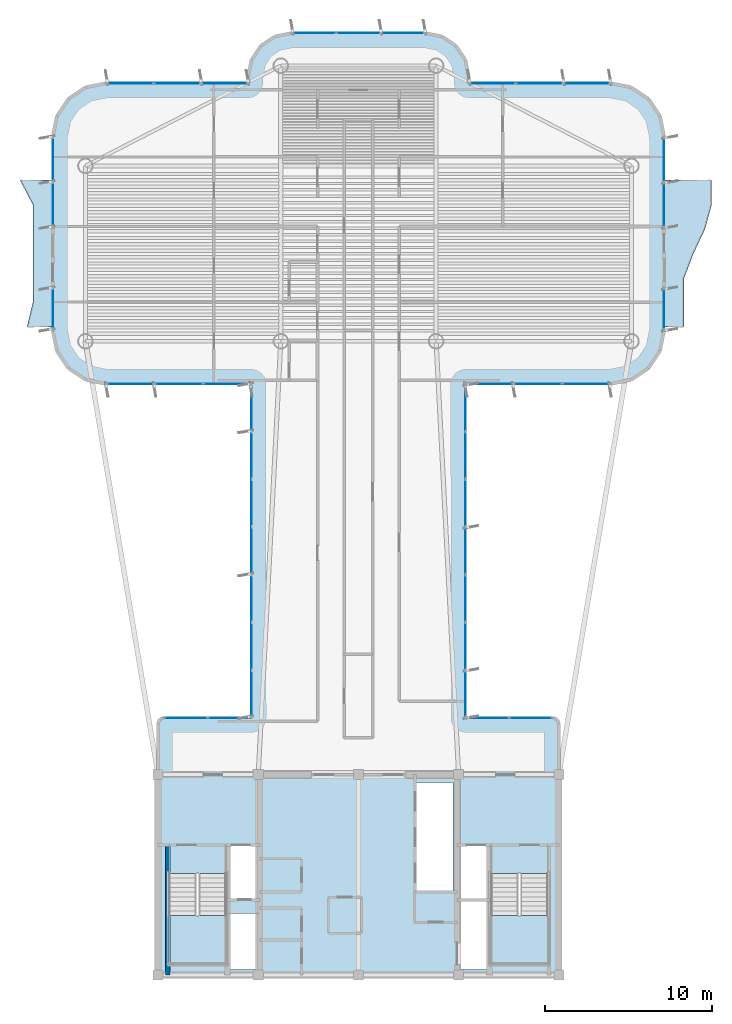
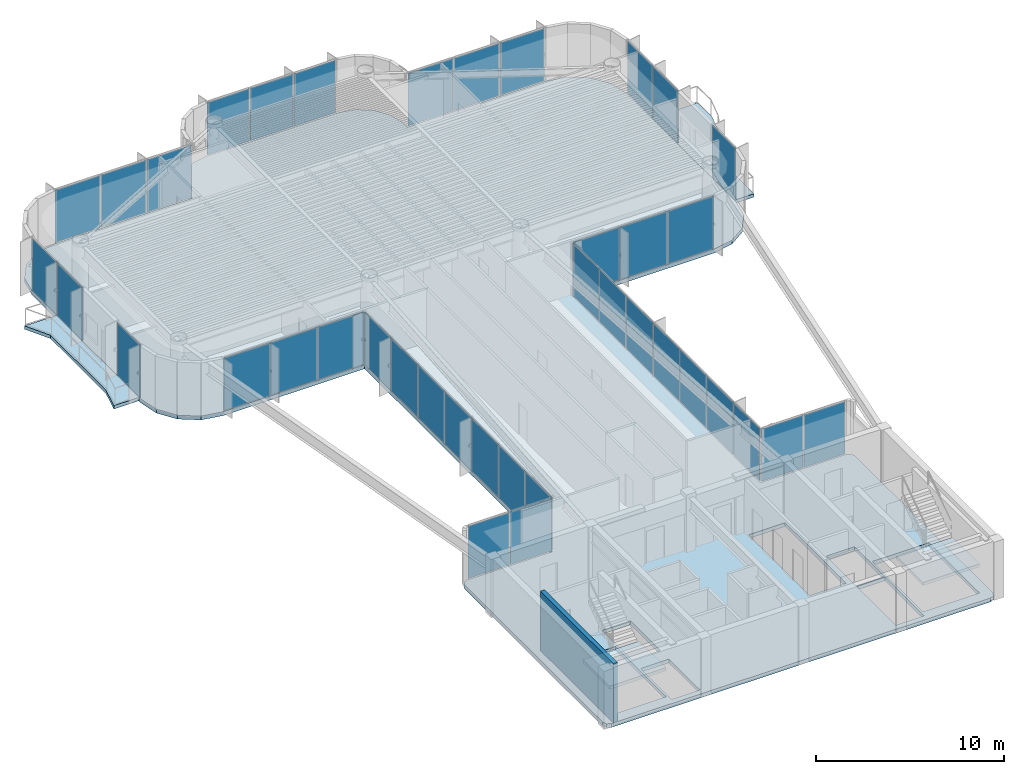
# One storey, part 9 of 15: 39 plates, 5 slabs, 1 wall, 15 elements without a shape of their own.
"""IFC4 building model written with IfcOpenShell, lengths in metres."""

from ifc_helpers import new_model, si_unit, direction, frame, frame_2d, origin, origin_2d, place, context, subcontext, project, spatial, polyline, rectangle, outline, extrude, source, transform, mapped, material, layer, layer_set, type_object, element, aggregate, save


model = new_model("IFC4")

# Units and contexts
model_context = context("Model", 3, precision=1e-05, world=origin(), true_north=direction((0.0, 1.0)))
body_context = subcontext(model_context, "Body", "Model", "MODEL_VIEW")
ifc_project = project(units=[si_unit("LENGTHUNIT", "METRE"), si_unit("AREAUNIT", "SQUARE_METRE"), si_unit("VOLUMEUNIT", "CUBIC_METRE"), si_unit("PLANEANGLEUNIT", "RADIAN"), si_unit("MASSUNIT", "GRAM", prefix="KILO")], contexts=[model_context])

# Site, building, storey
site_placement = place(None, origin())
site = spatial("IfcSite", under=ifc_project, at=site_placement, CompositionType="ELEMENT")
building_placement = place(site_placement, origin())
building = spatial("IfcBuilding", under=site, at=building_placement, Name="Brelvock Crest Care Tower", CompositionType="ELEMENT")
storey_placement = place(building_placement, frame((0.0, 0.0, 268.3798828125)))
storey = spatial("IfcBuildingStorey", under=building, at=storey_placement, Name="L68", CompositionType="ELEMENT", Elevation=268.3798828125)

# Slabs
ifc_material_1 = material(Name="Concrete N50 (50 MPa)", Category="concrete")
ifc_layer_1 = layer(ifc_material_1, 0.25, Name="SLB-FL3")
ifc_layer_set_1 = layer_set([ifc_layer_1], Name="Concrete N50 (50 MPa)")
slab_type_1 = type_object("IfcSlabType", Name="SLB-FL3", PredefinedType="FLOOR", material=ifc_layer_set_1)
slab_1_placement = place(storey_placement, frame((0.0, 0.0, -0.25)))
element("IfcSlab", 1, at=slab_1_placement, inside=storey, type_object=slab_type_1, Name="L68 Main Structural Slab", PredefinedType="FLOOR", context=body_context, shape_type="SweptSolid", body=[
    extrude(outline(polyline([(47.64990234375, 21.39990234375), (42.39990234375, 21.39990234375), (42.39990234375, 41.39990234375), (51.10009765625, 41.39990234375), (52.32470703125, 41.6435546875), (53.36279296875, 42.33740234375), (54.056396484375, 43.37548828125), (54.300048828125, 44.60009765625), (54.300048828125, 56.199951171875), (54.056396484375, 57.424560546875), (53.36279296875, 58.462646484375), (52.32470703125, 59.156494140625), (51.10009765625, 59.39990234375), (42.60009765625, 59.39990234375), (42.60009765625, 59.800048828125), (42.402099609375, 60.794921875), (41.83837890625, 61.638427734375), (40.9951171875, 62.2021484375), (40.0, 62.39990234375), (32.0, 62.39990234375), (31.0048828125, 62.2021484375), (30.16162109375, 61.638427734375), (29.597900390625, 60.794921875), (29.39990234375, 59.800048828125), (29.39990234375, 59.39990234375), (20.89990234375, 59.39990234375), (19.67529296875, 59.156494140625), (18.63720703125, 58.462646484375), (17.943603515625, 57.424560546875), (17.699951171875, 56.199951171875), (17.699951171875, 44.60009765625), (17.943603515625, 43.37548828125), (18.63720703125, 42.33740234375), (19.67529296875, 41.6435546875), (20.89990234375, 41.39990234375), (29.60009765625, 41.39990234375), (29.60009765625, 21.39990234375), (24.35009765625, 21.39990234375), (24.1025390625, 21.297607421875), (24.0, 21.050048828125), (24.0, 6.35009765625), (24.1025390625, 6.1025390625), (24.35009765625, 6.0), (47.64990234375, 6.0), (47.8974609375, 6.1025390625), (48.0, 6.35009765625), (48.0, 21.050048828125), (47.8974609375, 21.297607421875), (47.64990234375, 21.39990234375)]), holes=[polyline([(28.239990234375, 10.580078125), (29.97998046875, 10.580078125), (29.97998046875, 13.739990234375), (28.239990234375, 13.739990234375), (28.239990234375, 10.580078125)]), polyline([(42.02001953125, 10.580078125), (43.760009765625, 10.580078125), (43.760009765625, 13.739990234375), (42.02001953125, 13.739990234375), (42.02001953125, 10.580078125)]), polyline([(28.239990234375, 6.340087890625), (29.97998046875, 6.340087890625), (29.97998046875, 9.64990234375), (28.239990234375, 9.64990234375), (28.239990234375, 6.340087890625)]), polyline([(24.6298828125, 12.080078125), (24.6298828125, 6.699951171875), (28.110107421875, 6.699951171875), (28.110107421875, 12.080078125), (24.6298828125, 12.080078125)]), polyline([(43.889892578125, 12.080078125), (43.889892578125, 6.699951171875), (47.3701171875, 6.699951171875), (47.3701171875, 12.080078125), (43.889892578125, 12.080078125)]), polyline([(42.02001953125, 6.340087890625), (43.760009765625, 6.340087890625), (43.760009765625, 10.5), (42.02001953125, 10.5), (42.02001953125, 6.340087890625)]), polyline([(39.429931640625, 11.030029296875), (41.669921875, 11.030029296875), (41.669921875, 17.52001953125), (39.429931640625, 17.52001953125), (39.429931640625, 11.030029296875)])]), origin(), (0.0, 0.0, 1.0), 0.25),
])
ifc_layer_2 = layer(ifc_material_1, 0.219970703125, Name="SLB-WB1")
ifc_layer_set_2 = layer_set([ifc_layer_2], Name="Concrete N50 (50 MPa)")
slab_type_2 = type_object("IfcSlabType", Name="SLB-WB1", PredefinedType="FLOOR", material=ifc_layer_set_2)
slab_2_placement = place(storey_placement, frame((0.0, 0.0, -0.219970703125)))
element("IfcSlab", 2, at=slab_2_placement, inside=storey, type_object=slab_type_2, Name="L68 W Sinusoidal Wave Balcony Slab", PredefinedType="FLOOR", context=body_context, shape_type="SweptSolid", body=[
    extrude(outline(polyline([(17.699951171875, 53.60009765625), (15.73291015625, 53.60009765625), (16.49951171875, 52.13330078125), (16.5, 50.666748046875), (16.5, 49.199951171875), (16.5, 47.7333984375), (16.5, 46.2666015625), (16.14990234375, 44.800048828125), (17.699951171875, 44.800048828125), (17.699951171875, 53.60009765625)])), origin(), (0.0, 0.0, 1.0), 0.219970703125),
])
slab_3_placement = place(storey_placement, frame((0.0, 0.0, -0.219970703125)))
element("IfcSlab", 3, at=slab_3_placement, inside=storey, type_object=slab_type_2, Name="L68 E Sinusoidal Wave Balcony Slab", PredefinedType="FLOOR", context=body_context, shape_type="SweptSolid", body=[
    extrude(outline(polyline([(54.300048828125, 44.800048828125), (55.5, 44.800048828125), (55.5, 46.2666015625), (55.5, 47.7333984375), (56.061279296875, 49.199951171875), (56.75341796875, 50.666748046875), (57.154052734375, 52.13330078125), (57.1337890625, 53.60009765625), (54.300048828125, 53.60009765625), (54.300048828125, 44.800048828125)])), origin(), (0.0, 0.0, 1.0), 0.219970703125),
])

# Stair, slab
ifc_material_2 = material(Name="Concrete N40 (40 MPa)", Category="concrete")
stair_type = type_object("IfcStairType", Name="ST-CORE1", PredefinedType="HALF_TURN_STAIR", material=ifc_material_2)
stair_1_placement = place(storey_placement, origin())
stair_1 = element("IfcStair", 4, at=stair_1_placement, inside=storey, type_object=stair_type, Name="L68 Fire-Isolated Core Stair ST-1", PredefinedType="HALF_TURN_STAIR")
ifc_layer_3 = layer(ifc_material_2, 0.199951171875, Name="STL-1")
ifc_layer_set_3 = layer_set([ifc_layer_3], Name="Concrete N40 (40 MPa)")
slab_type_3 = type_object("IfcSlabType", Name="STL-1", PredefinedType="LANDING", material=ifc_layer_set_3)
slab_4_placement = place(storey_placement, frame((0.0, 0.0, 1.690185546875)))
slab_4 = element("IfcSlab", 5, at=slab_4_placement, type_object=slab_type_3, Name="ST-1 landing 1", PredefinedType="LANDING", context=body_context, shape_type="SweptSolid", body=[
    extrude(outline(polyline([(24.6298828125, 9.56005859375), (24.6298828125, 6.699951171875), (28.110107421875, 6.699951171875), (28.110107421875, 9.56005859375), (24.6298828125, 9.56005859375)])), origin(), (0.0, 0.0, 1.0), 0.199951171875),
])
aggregate(stair_1, [slab_4])

stair_2_placement = place(storey_placement, origin())
stair_2 = element("IfcStair", 6, at=stair_2_placement, inside=storey, type_object=stair_type, Name="L68 Fire-Isolated Core Stair ST-2", PredefinedType="HALF_TURN_STAIR")
slab_5_placement = place(storey_placement, frame((0.0, 0.0, 1.690185546875)))
slab_5 = element("IfcSlab", 7, at=slab_5_placement, type_object=slab_type_3, Name="ST-2 landing 1", PredefinedType="LANDING", context=body_context, shape_type="SweptSolid", body=[
    extrude(outline(polyline([(43.889892578125, 9.56005859375), (43.889892578125, 6.699951171875), (47.3701171875, 6.699951171875), (47.3701171875, 9.56005859375), (43.889892578125, 9.56005859375)])), origin(), (0.0, 0.0, 1.0), 0.199951171875),
])
aggregate(stair_2, [slab_5])

# Curtain wall, plates
ifc_material_3 = material(Name="Dark Glass Double Glazed Low-E", Category="glass")
ifc_layer_4 = layer(ifc_material_3, 0.239990234375, Name="CWS-5")
ifc_layer_set_4 = layer_set([ifc_layer_4], Name="Dark Glass Double Glazed Low-E")
curtain_wall_type = type_object("IfcCurtainWallType", Name="CWS-5", PredefinedType="NOTDEFINED", material=ifc_layer_set_4)
curtain_wall_1_placement = place(storey_placement, origin())
curtain_wall_1 = element("IfcCurtainWall", 8, at=curtain_wall_1_placement, inside=storey, type_object=curtain_wall_type, Name="L68 Curtain Wall E10", PredefinedType="NOTDEFINED")
ifc_layer_5 = layer(ifc_material_3, 0.0380859375, Name="CWP-V2")
ifc_layer_set_5 = layer_set([ifc_layer_5], Name="Dark Glass Double Glazed Low-E")
plate_type = type_object("IfcPlateType", Name="CWP-V2", PredefinedType="CURTAIN_PANEL", material=ifc_layer_set_5)
shared_shape_1 = source(origin(), body_context, "Body", "SweptSolid", [
    extrude(rectangle(XDim=2.534912109375, YDim=0.035888671875, at=origin_2d()), origin(), (0.0, 0.0, 1.0), 3.409912109375),
])
plate_1_placement = place(storey_placement, frame((25.677490234375, 21.39990234375, 0.06005859375), z_axis=(0.0, 0.0, 1.0), x_axis=(1.0, 0.0, 0.0)))
plate_1 = element("IfcPlate", 9, at=plate_1_placement, type_object=plate_type, Name="CW-5 panel 1.1", PredefinedType="CURTAIN_PANEL", context=body_context, shape_type="MappedRepresentation", body=[
    mapped(shared_shape_1, transform((0.0, 0.0, 0.0), x_axis=(1.0, 0.0, 0.0), y_axis=(0.0, 1.0, 0.0), z_axis=(0.0, 0.0, 1.0), scale=1.0)),
])
plate_2_placement = place(storey_placement, frame((28.2724609375, 21.39990234375, 0.06005859375), z_axis=(0.0, 0.0, 1.0), x_axis=(1.0, 0.0, 0.0)))
plate_2 = element("IfcPlate", 10, at=plate_2_placement, type_object=plate_type, Name="CW-5 panel 2.1", PredefinedType="CURTAIN_PANEL", context=body_context, shape_type="MappedRepresentation", body=[
    mapped(shared_shape_1, transform((0.0, 0.0, 0.0), x_axis=(1.0, 0.0, 0.0), y_axis=(0.0, 1.0, 0.0), z_axis=(0.0, 0.0, 1.0), scale=1.0)),
])
aggregate(curtain_wall_1, [plate_1, plate_2])

curtain_wall_2_placement = place(storey_placement, origin())
curtain_wall_2 = element("IfcCurtainWall", 11, at=curtain_wall_2_placement, inside=storey, type_object=curtain_wall_type, Name="L68 Curtain Wall E46", PredefinedType="NOTDEFINED")
plate_3_placement = place(storey_placement, frame((43.7275390625, 21.39990234375, 0.06005859375), z_axis=(0.0, 0.0, 1.0), x_axis=(1.0, 0.0, 0.0)))
plate_3 = element("IfcPlate", 12, at=plate_3_placement, type_object=plate_type, Name="CW-5 panel 1.1", PredefinedType="CURTAIN_PANEL", context=body_context, shape_type="MappedRepresentation", body=[
    mapped(shared_shape_1, transform((0.0, 0.0, 0.0), x_axis=(1.0, 0.0, 0.0), y_axis=(0.0, 1.0, 0.0), z_axis=(0.0, 0.0, 1.0), scale=1.0)),
])
plate_4_placement = place(storey_placement, frame((46.322509765625, 21.39990234375, 0.06005859375), z_axis=(0.0, 0.0, 1.0), x_axis=(1.0, 0.0, 0.0)))
plate_4 = element("IfcPlate", 13, at=plate_4_placement, type_object=plate_type, Name="CW-5 panel 2.1", PredefinedType="CURTAIN_PANEL", context=body_context, shape_type="MappedRepresentation", body=[
    mapped(shared_shape_1, transform((0.0, 0.0, 0.0), x_axis=(1.0, 0.0, 0.0), y_axis=(0.0, 1.0, 0.0), z_axis=(0.0, 0.0, 1.0), scale=1.0)),
])
aggregate(curtain_wall_2, [plate_3, plate_4])

curtain_wall_3_placement = place(storey_placement, origin())
curtain_wall_3 = element("IfcCurtainWall", 14, at=curtain_wall_3_placement, inside=storey, type_object=curtain_wall_type, Name="L68 Curtain Wall E11", PredefinedType="NOTDEFINED")
shared_shape_2 = source(origin(), body_context, "Body", "SweptSolid", [
    extrude(rectangle(XDim=2.76708984375, YDim=0.035888671875, at=origin_2d()), origin(), (0.0, 0.0, 1.0), 3.409912109375),
])
plate_5_placement = place(storey_placement, frame((29.60009765625, 22.843505859375, 0.06005859375), z_axis=(0.0, 0.0, 1.0), x_axis=(0.0, 1.0, 0.0)))
plate_5 = element("IfcPlate", 15, at=plate_5_placement, type_object=plate_type, Name="CW-5 panel 1.1", PredefinedType="CURTAIN_PANEL", context=body_context, shape_type="MappedRepresentation", body=[
    mapped(shared_shape_2, transform((0.0, 0.0, 0.0), x_axis=(1.0, 0.0, 0.0), y_axis=(0.0, 1.0, 0.0), z_axis=(0.0, 0.0, 1.0), scale=1.0)),
])
plate_6_placement = place(storey_placement, frame((29.60009765625, 39.95654296875, 0.06005859375), z_axis=(0.0, 0.0, 1.0), x_axis=(0.0, 1.0, 0.0)))
plate_6 = element("IfcPlate", 16, at=plate_6_placement, type_object=plate_type, Name="CW-5 panel 7.1", PredefinedType="CURTAIN_PANEL", context=body_context, shape_type="MappedRepresentation", body=[
    mapped(shared_shape_2, transform((0.0, 0.0, 0.0), x_axis=(1.0, 0.0, 0.0), y_axis=(0.0, 1.0, 0.0), z_axis=(0.0, 0.0, 1.0), scale=1.0)),
])

curtain_wall_4_placement = place(storey_placement, origin())
curtain_wall_4 = element("IfcCurtainWall", 17, at=curtain_wall_4_placement, inside=storey, type_object=curtain_wall_type, Name="L68 Curtain Wall E45", PredefinedType="NOTDEFINED")
plate_7_placement = place(storey_placement, frame((42.39990234375, 39.95654296875, 0.06005859375), z_axis=(0.0, 0.0, 1.0), x_axis=(0.0, -1.0, 0.0)))
plate_7 = element("IfcPlate", 18, at=plate_7_placement, type_object=plate_type, Name="CW-5 panel 1.1", PredefinedType="CURTAIN_PANEL", context=body_context, shape_type="MappedRepresentation", body=[
    mapped(shared_shape_2, transform((0.0, 0.0, 0.0), x_axis=(1.0, 0.0, 0.0), y_axis=(0.0, 1.0, 0.0), z_axis=(0.0, 0.0, 1.0), scale=1.0)),
])
plate_8_placement = place(storey_placement, frame((42.39990234375, 22.843505859375, 0.06005859375), z_axis=(0.0, 0.0, 1.0), x_axis=(0.0, -1.0, 0.0)))
plate_8 = element("IfcPlate", 19, at=plate_8_placement, type_object=plate_type, Name="CW-5 panel 7.1", PredefinedType="CURTAIN_PANEL", context=body_context, shape_type="MappedRepresentation", body=[
    mapped(shared_shape_2, transform((0.0, 0.0, 0.0), x_axis=(1.0, 0.0, 0.0), y_axis=(0.0, 1.0, 0.0), z_axis=(0.0, 0.0, 1.0), scale=1.0)),
])

# Plate
shared_shape_3 = source(origin(), body_context, "Body", "SweptSolid", [
    extrude(rectangle(XDim=2.797119140625, YDim=0.035888671875, at=origin_2d()), origin(), (0.0, 0.0, 1.0), 3.409912109375),
])
plate_9_placement = place(storey_placement, frame((29.60009765625, 25.685791015625, 0.06005859375), z_axis=(0.0, 0.0, 1.0), x_axis=(0.0, 1.0, 0.0)))
plate_9 = element("IfcPlate", 20, at=plate_9_placement, type_object=plate_type, Name="CW-5 panel 2.1", PredefinedType="CURTAIN_PANEL", context=body_context, shape_type="MappedRepresentation", body=[
    mapped(shared_shape_3, transform((0.0, 0.0, 0.0), x_axis=(1.0, 0.0, 0.0), y_axis=(0.0, 1.0, 0.0), z_axis=(0.0, 0.0, 1.0), scale=1.0)),
])

plate_10_placement = place(storey_placement, frame((29.60009765625, 28.54296875, 0.06005859375), z_axis=(0.0, 0.0, 1.0), x_axis=(0.0, 1.0, 0.0)))
plate_10 = element("IfcPlate", 21, at=plate_10_placement, type_object=plate_type, Name="CW-5 panel 3.1", PredefinedType="CURTAIN_PANEL", context=body_context, shape_type="MappedRepresentation", body=[
    mapped(shared_shape_3, transform((0.0, 0.0, 0.0), x_axis=(1.0, 0.0, 0.0), y_axis=(0.0, 1.0, 0.0), z_axis=(0.0, 0.0, 1.0), scale=1.0)),
])

plate_11_placement = place(storey_placement, frame((29.60009765625, 31.39990234375, 0.06005859375), z_axis=(0.0, 0.0, 1.0), x_axis=(0.0, 1.0, 0.0)))
plate_11 = element("IfcPlate", 22, at=plate_11_placement, type_object=plate_type, Name="CW-5 panel 4.1", PredefinedType="CURTAIN_PANEL", context=body_context, shape_type="MappedRepresentation", body=[
    mapped(shared_shape_3, transform((0.0, 0.0, 0.0), x_axis=(1.0, 0.0, 0.0), y_axis=(0.0, 1.0, 0.0), z_axis=(0.0, 0.0, 1.0), scale=1.0)),
])

plate_12_placement = place(storey_placement, frame((29.60009765625, 34.257080078125, 0.06005859375), z_axis=(0.0, 0.0, 1.0), x_axis=(0.0, 1.0, 0.0)))
plate_12 = element("IfcPlate", 23, at=plate_12_placement, type_object=plate_type, Name="CW-5 panel 5.1", PredefinedType="CURTAIN_PANEL", context=body_context, shape_type="MappedRepresentation", body=[
    mapped(shared_shape_3, transform((0.0, 0.0, 0.0), x_axis=(1.0, 0.0, 0.0), y_axis=(0.0, 1.0, 0.0), z_axis=(0.0, 0.0, 1.0), scale=1.0)),
])

plate_13_placement = place(storey_placement, frame((29.60009765625, 37.1142578125, 0.06005859375), z_axis=(0.0, 0.0, 1.0), x_axis=(0.0, 1.0, 0.0)))
plate_13 = element("IfcPlate", 24, at=plate_13_placement, type_object=plate_type, Name="CW-5 panel 6.1", PredefinedType="CURTAIN_PANEL", context=body_context, shape_type="MappedRepresentation", body=[
    mapped(shared_shape_3, transform((0.0, 0.0, 0.0), x_axis=(1.0, 0.0, 0.0), y_axis=(0.0, 1.0, 0.0), z_axis=(0.0, 0.0, 1.0), scale=1.0)),
])

aggregate(curtain_wall_3, [plate_5, plate_9, plate_10, plate_11, plate_12, plate_13, plate_6])

plate_14_placement = place(storey_placement, frame((42.39990234375, 37.1142578125, 0.06005859375), z_axis=(0.0, 0.0, 1.0), x_axis=(0.0, -1.0, 0.0)))
plate_14 = element("IfcPlate", 25, at=plate_14_placement, type_object=plate_type, Name="CW-5 panel 2.1", PredefinedType="CURTAIN_PANEL", context=body_context, shape_type="MappedRepresentation", body=[
    mapped(shared_shape_3, transform((0.0, 0.0, 0.0), x_axis=(1.0, 0.0, 0.0), y_axis=(0.0, 1.0, 0.0), z_axis=(0.0, 0.0, 1.0), scale=1.0)),
])

plate_15_placement = place(storey_placement, frame((42.39990234375, 34.257080078125, 0.06005859375), z_axis=(0.0, 0.0, 1.0), x_axis=(0.0, -1.0, 0.0)))
plate_15 = element("IfcPlate", 26, at=plate_15_placement, type_object=plate_type, Name="CW-5 panel 3.1", PredefinedType="CURTAIN_PANEL", context=body_context, shape_type="MappedRepresentation", body=[
    mapped(shared_shape_3, transform((0.0, 0.0, 0.0), x_axis=(1.0, 0.0, 0.0), y_axis=(0.0, 1.0, 0.0), z_axis=(0.0, 0.0, 1.0), scale=1.0)),
])

plate_16_placement = place(storey_placement, frame((42.39990234375, 31.39990234375, 0.06005859375), z_axis=(0.0, 0.0, 1.0), x_axis=(0.0, -1.0, 0.0)))
plate_16 = element("IfcPlate", 27, at=plate_16_placement, type_object=plate_type, Name="CW-5 panel 4.1", PredefinedType="CURTAIN_PANEL", context=body_context, shape_type="MappedRepresentation", body=[
    mapped(shared_shape_3, transform((0.0, 0.0, 0.0), x_axis=(1.0, 0.0, 0.0), y_axis=(0.0, 1.0, 0.0), z_axis=(0.0, 0.0, 1.0), scale=1.0)),
])

plate_17_placement = place(storey_placement, frame((42.39990234375, 28.54296875, 0.06005859375), z_axis=(0.0, 0.0, 1.0), x_axis=(0.0, -1.0, 0.0)))
plate_17 = element("IfcPlate", 28, at=plate_17_placement, type_object=plate_type, Name="CW-5 panel 5.1", PredefinedType="CURTAIN_PANEL", context=body_context, shape_type="MappedRepresentation", body=[
    mapped(shared_shape_3, transform((0.0, 0.0, 0.0), x_axis=(1.0, 0.0, 0.0), y_axis=(0.0, 1.0, 0.0), z_axis=(0.0, 0.0, 1.0), scale=1.0)),
])

plate_18_placement = place(storey_placement, frame((42.39990234375, 25.685791015625, 0.06005859375), z_axis=(0.0, 0.0, 1.0), x_axis=(0.0, -1.0, 0.0)))
plate_18 = element("IfcPlate", 29, at=plate_18_placement, type_object=plate_type, Name="CW-5 panel 6.1", PredefinedType="CURTAIN_PANEL", context=body_context, shape_type="MappedRepresentation", body=[
    mapped(shared_shape_3, transform((0.0, 0.0, 0.0), x_axis=(1.0, 0.0, 0.0), y_axis=(0.0, 1.0, 0.0), z_axis=(0.0, 0.0, 1.0), scale=1.0)),
])

aggregate(curtain_wall_4, [plate_7, plate_14, plate_15, plate_16, plate_17, plate_18, plate_8])

# Curtain wall, plates
curtain_wall_5_placement = place(storey_placement, origin())
curtain_wall_5 = element("IfcCurtainWall", 30, at=curtain_wall_5_placement, inside=storey, type_object=curtain_wall_type, Name="L68 Curtain Wall E12", PredefinedType="NOTDEFINED")
shared_shape_4 = source(origin(), body_context, "Body", "SweptSolid", [
    extrude(rectangle(XDim=2.81005859375, YDim=0.035888671875, at=origin_2d()), origin(), (0.0, 0.0, 1.0), 3.409912109375),
])
plate_19_placement = place(storey_placement, frame((28.135009765625, 41.39990234375, 0.06005859375), z_axis=(0.0, 0.0, 1.0), x_axis=(-1.0, 0.0, 0.0)))
plate_19 = element("IfcPlate", 31, at=plate_19_placement, type_object=plate_type, Name="CW-5 panel 1.1", PredefinedType="CURTAIN_PANEL", context=body_context, shape_type="MappedRepresentation", body=[
    mapped(shared_shape_4, transform((0.0, 0.0, 0.0), x_axis=(1.0, 0.0, 0.0), y_axis=(0.0, 1.0, 0.0), z_axis=(0.0, 0.0, 1.0), scale=1.0)),
])
plate_20_placement = place(storey_placement, frame((22.364990234375, 41.39990234375, 0.06005859375), z_axis=(0.0, 0.0, 1.0), x_axis=(-1.0, 0.0, 0.0)))
plate_20 = element("IfcPlate", 32, at=plate_20_placement, type_object=plate_type, Name="CW-5 panel 3.1", PredefinedType="CURTAIN_PANEL", context=body_context, shape_type="MappedRepresentation", body=[
    mapped(shared_shape_4, transform((0.0, 0.0, 0.0), x_axis=(1.0, 0.0, 0.0), y_axis=(0.0, 1.0, 0.0), z_axis=(0.0, 0.0, 1.0), scale=1.0)),
])

curtain_wall_6_placement = place(storey_placement, origin())
curtain_wall_6 = element("IfcCurtainWall", 33, at=curtain_wall_6_placement, inside=storey, type_object=curtain_wall_type, Name="L68 Curtain Wall E44", PredefinedType="NOTDEFINED")
plate_21_placement = place(storey_placement, frame((49.635009765625, 41.39990234375, 0.06005859375), z_axis=(0.0, 0.0, 1.0), x_axis=(-1.0, 0.0, 0.0)))
plate_21 = element("IfcPlate", 34, at=plate_21_placement, type_object=plate_type, Name="CW-5 panel 1.1", PredefinedType="CURTAIN_PANEL", context=body_context, shape_type="MappedRepresentation", body=[
    mapped(shared_shape_4, transform((0.0, 0.0, 0.0), x_axis=(1.0, 0.0, 0.0), y_axis=(0.0, 1.0, 0.0), z_axis=(0.0, 0.0, 1.0), scale=1.0)),
])
plate_22_placement = place(storey_placement, frame((43.864990234375, 41.39990234375, 0.06005859375), z_axis=(0.0, 0.0, 1.0), x_axis=(-1.0, 0.0, 0.0)))
plate_22 = element("IfcPlate", 35, at=plate_22_placement, type_object=plate_type, Name="CW-5 panel 3.1", PredefinedType="CURTAIN_PANEL", context=body_context, shape_type="MappedRepresentation", body=[
    mapped(shared_shape_4, transform((0.0, 0.0, 0.0), x_axis=(1.0, 0.0, 0.0), y_axis=(0.0, 1.0, 0.0), z_axis=(0.0, 0.0, 1.0), scale=1.0)),
])

# Plate
shared_shape_5 = source(origin(), body_context, "Body", "SweptSolid", [
    extrude(rectangle(XDim=2.840087890625, YDim=0.035888671875, at=origin_2d()), origin(), (0.0, 0.0, 1.0), 3.409912109375),
])
plate_23_placement = place(storey_placement, frame((25.25, 41.39990234375, 0.06005859375), z_axis=(0.0, 0.0, 1.0), x_axis=(-1.0, 0.0, 0.0)))
plate_23 = element("IfcPlate", 36, at=plate_23_placement, type_object=plate_type, Name="CW-5 panel 2.1", PredefinedType="CURTAIN_PANEL", context=body_context, shape_type="MappedRepresentation", body=[
    mapped(shared_shape_5, transform((0.0, 0.0, 0.0), x_axis=(1.0, 0.0, 0.0), y_axis=(0.0, 1.0, 0.0), z_axis=(0.0, 0.0, 1.0), scale=1.0)),
])

aggregate(curtain_wall_5, [plate_19, plate_23, plate_20])

plate_24_placement = place(storey_placement, frame((46.75, 41.39990234375, 0.06005859375), z_axis=(0.0, 0.0, 1.0), x_axis=(-1.0, 0.0, 0.0)))
plate_24 = element("IfcPlate", 37, at=plate_24_placement, type_object=plate_type, Name="CW-5 panel 2.1", PredefinedType="CURTAIN_PANEL", context=body_context, shape_type="MappedRepresentation", body=[
    mapped(shared_shape_5, transform((0.0, 0.0, 0.0), x_axis=(1.0, 0.0, 0.0), y_axis=(0.0, 1.0, 0.0), z_axis=(0.0, 0.0, 1.0), scale=1.0)),
])

aggregate(curtain_wall_6, [plate_21, plate_24, plate_22])

# Curtain wall, plates
curtain_wall_7_placement = place(storey_placement, origin())
curtain_wall_7 = element("IfcCurtainWall", 38, at=curtain_wall_7_placement, inside=storey, type_object=curtain_wall_type, Name="L68 Curtain Wall E22", PredefinedType="NOTDEFINED")
shared_shape_6 = source(origin(), body_context, "Body", "SweptSolid", [
    extrude(rectangle(XDim=2.743408203125, YDim=0.035888671875, at=origin_2d()), origin(), (0.0, 0.0, 1.0), 3.409912109375),
])
plate_25_placement = place(storey_placement, frame((22.331787109375, 59.39990234375, 0.06005859375), z_axis=(0.0, 0.0, 1.0), x_axis=(1.0, 0.0, 0.0)))
plate_25 = element("IfcPlate", 39, at=plate_25_placement, type_object=plate_type, Name="CW-5 panel 1.1", PredefinedType="CURTAIN_PANEL", context=body_context, shape_type="MappedRepresentation", body=[
    mapped(shared_shape_6, transform((0.0, 0.0, 0.0), x_axis=(1.0, 0.0, 0.0), y_axis=(0.0, 1.0, 0.0), z_axis=(0.0, 0.0, 1.0), scale=1.0)),
])
plate_26_placement = place(storey_placement, frame((27.96826171875, 59.39990234375, 0.06005859375), z_axis=(0.0, 0.0, 1.0), x_axis=(1.0, 0.0, 0.0)))
plate_26 = element("IfcPlate", 40, at=plate_26_placement, type_object=plate_type, Name="CW-5 panel 3.1", PredefinedType="CURTAIN_PANEL", context=body_context, shape_type="MappedRepresentation", body=[
    mapped(shared_shape_6, transform((0.0, 0.0, 0.0), x_axis=(1.0, 0.0, 0.0), y_axis=(0.0, 1.0, 0.0), z_axis=(0.0, 0.0, 1.0), scale=1.0)),
])

curtain_wall_8_placement = place(storey_placement, origin())
curtain_wall_8 = element("IfcCurtainWall", 41, at=curtain_wall_8_placement, inside=storey, type_object=curtain_wall_type, Name="L68 Curtain Wall E34", PredefinedType="NOTDEFINED")
plate_27_placement = place(storey_placement, frame((44.03173828125, 59.39990234375, 0.06005859375), z_axis=(0.0, 0.0, 1.0), x_axis=(1.0, 0.0, 0.0)))
plate_27 = element("IfcPlate", 42, at=plate_27_placement, type_object=plate_type, Name="CW-5 panel 1.1", PredefinedType="CURTAIN_PANEL", context=body_context, shape_type="MappedRepresentation", body=[
    mapped(shared_shape_6, transform((0.0, 0.0, 0.0), x_axis=(1.0, 0.0, 0.0), y_axis=(0.0, 1.0, 0.0), z_axis=(0.0, 0.0, 1.0), scale=1.0)),
])
plate_28_placement = place(storey_placement, frame((49.668212890625, 59.39990234375, 0.06005859375), z_axis=(0.0, 0.0, 1.0), x_axis=(1.0, 0.0, 0.0)))
plate_28 = element("IfcPlate", 43, at=plate_28_placement, type_object=plate_type, Name="CW-5 panel 3.1", PredefinedType="CURTAIN_PANEL", context=body_context, shape_type="MappedRepresentation", body=[
    mapped(shared_shape_6, transform((0.0, 0.0, 0.0), x_axis=(1.0, 0.0, 0.0), y_axis=(0.0, 1.0, 0.0), z_axis=(0.0, 0.0, 1.0), scale=1.0)),
])

# Plate
shared_shape_7 = source(origin(), body_context, "Body", "SweptSolid", [
    extrude(rectangle(XDim=2.7734375, YDim=0.035888671875, at=origin_2d()), origin(), (0.0, 0.0, 1.0), 3.409912109375),
])
plate_29_placement = place(storey_placement, frame((25.14990234375, 59.39990234375, 0.06005859375), z_axis=(0.0, 0.0, 1.0), x_axis=(1.0, 0.0, 0.0)))
plate_29 = element("IfcPlate", 44, at=plate_29_placement, type_object=plate_type, Name="CW-5 panel 2.1", PredefinedType="CURTAIN_PANEL", context=body_context, shape_type="MappedRepresentation", body=[
    mapped(shared_shape_7, transform((0.0, 0.0, 0.0), x_axis=(1.0, 0.0, 0.0), y_axis=(0.0, 1.0, 0.0), z_axis=(0.0, 0.0, 1.0), scale=1.0)),
])

aggregate(curtain_wall_7, [plate_25, plate_29, plate_26])

plate_30_placement = place(storey_placement, frame((46.85009765625, 59.39990234375, 0.06005859375), z_axis=(0.0, 0.0, 1.0), x_axis=(1.0, 0.0, 0.0)))
plate_30 = element("IfcPlate", 45, at=plate_30_placement, type_object=plate_type, Name="CW-5 panel 2.1", PredefinedType="CURTAIN_PANEL", context=body_context, shape_type="MappedRepresentation", body=[
    mapped(shared_shape_7, transform((0.0, 0.0, 0.0), x_axis=(1.0, 0.0, 0.0), y_axis=(0.0, 1.0, 0.0), z_axis=(0.0, 0.0, 1.0), scale=1.0)),
])

aggregate(curtain_wall_8, [plate_27, plate_30, plate_28])

# Curtain wall, plates
curtain_wall_9_placement = place(storey_placement, origin())
curtain_wall_9 = element("IfcCurtainWall", 46, at=curtain_wall_9_placement, inside=storey, type_object=curtain_wall_type, Name="L68 Curtain Wall E28", PredefinedType="NOTDEFINED")
shared_shape_8 = source(origin(), body_context, "Body", "SweptSolid", [
    extrude(rectangle(XDim=2.57666015625, YDim=0.035888671875, at=origin_2d()), origin(), (0.0, 0.0, 1.0), 3.409912109375),
])
plate_31_placement = place(storey_placement, frame((33.348388671875, 62.39990234375, 0.06005859375), z_axis=(0.0, 0.0, 1.0), x_axis=(1.0, 0.0, 0.0)))
plate_31 = element("IfcPlate", 47, at=plate_31_placement, type_object=plate_type, Name="CW-5 panel 1.1", PredefinedType="CURTAIN_PANEL", context=body_context, shape_type="MappedRepresentation", body=[
    mapped(shared_shape_8, transform((0.0, 0.0, 0.0), x_axis=(1.0, 0.0, 0.0), y_axis=(0.0, 1.0, 0.0), z_axis=(0.0, 0.0, 1.0), scale=1.0)),
])
plate_32_placement = place(storey_placement, frame((38.651611328125, 62.39990234375, 0.06005859375), z_axis=(0.0, 0.0, 1.0), x_axis=(1.0, 0.0, 0.0)))
plate_32 = element("IfcPlate", 48, at=plate_32_placement, type_object=plate_type, Name="CW-5 panel 3.1", PredefinedType="CURTAIN_PANEL", context=body_context, shape_type="MappedRepresentation", body=[
    mapped(shared_shape_8, transform((0.0, 0.0, 0.0), x_axis=(1.0, 0.0, 0.0), y_axis=(0.0, 1.0, 0.0), z_axis=(0.0, 0.0, 1.0), scale=1.0)),
])
shared_shape_9 = source(origin(), body_context, "Body", "SweptSolid", [
    extrude(rectangle(XDim=2.606689453125, YDim=0.035888671875, at=origin_2d()), origin(), (0.0, 0.0, 1.0), 3.409912109375),
])
plate_33_placement = place(storey_placement, frame((36.0, 62.39990234375, 0.06005859375), z_axis=(0.0, 0.0, 1.0), x_axis=(1.0, 0.0, 0.0)))
plate_33 = element("IfcPlate", 49, at=plate_33_placement, type_object=plate_type, Name="CW-5 panel 2.1", PredefinedType="CURTAIN_PANEL", context=body_context, shape_type="MappedRepresentation", body=[
    mapped(shared_shape_9, transform((0.0, 0.0, 0.0), x_axis=(1.0, 0.0, 0.0), y_axis=(0.0, 1.0, 0.0), z_axis=(0.0, 0.0, 1.0), scale=1.0)),
])
aggregate(curtain_wall_9, [plate_31, plate_33, plate_32])

# Curtain wall, plate
curtain_wall_10_placement = place(storey_placement, origin())
curtain_wall_10 = element("IfcCurtainWall", 50, at=curtain_wall_10_placement, inside=storey, type_object=curtain_wall_type, Name="L68 Curtain Wall E17A", PredefinedType="NOTDEFINED")
shared_shape_10 = source(origin(), body_context, "Body", "SweptSolid", [
    extrude(rectangle(XDim=2.429931640625, YDim=0.035888671875, at=origin_2d()), origin(), (0.0, 0.0, 1.0), 3.409912109375),
])
plate_34_placement = place(storey_placement, frame((17.699951171875, 45.875, 0.06005859375), z_axis=(0.0, 0.0, 1.0), x_axis=(0.0, 1.0, 0.0)))
plate_34 = element("IfcPlate", 51, at=plate_34_placement, type_object=plate_type, Name="CW-5 panel 1.1", PredefinedType="CURTAIN_PANEL", context=body_context, shape_type="MappedRepresentation", body=[
    mapped(shared_shape_10, transform((0.0, 0.0, 0.0), x_axis=(1.0, 0.0, 0.0), y_axis=(0.0, 1.0, 0.0), z_axis=(0.0, 0.0, 1.0), scale=1.0)),
])
aggregate(curtain_wall_10, [plate_34])

curtain_wall_11_placement = place(storey_placement, origin())
curtain_wall_11 = element("IfcCurtainWall", 52, at=curtain_wall_11_placement, inside=storey, type_object=curtain_wall_type, Name="L68 Curtain Wall E39B", PredefinedType="NOTDEFINED")
plate_35_placement = place(storey_placement, frame((54.300048828125, 45.875, 0.06005859375), z_axis=(0.0, 0.0, 1.0), x_axis=(0.0, -1.0, 0.0)))
plate_35 = element("IfcPlate", 53, at=plate_35_placement, type_object=plate_type, Name="CW-5 panel 1.1", PredefinedType="CURTAIN_PANEL", context=body_context, shape_type="MappedRepresentation", body=[
    mapped(shared_shape_10, transform((0.0, 0.0, 0.0), x_axis=(1.0, 0.0, 0.0), y_axis=(0.0, 1.0, 0.0), z_axis=(0.0, 0.0, 1.0), scale=1.0)),
])
aggregate(curtain_wall_11, [plate_35])

# Curtain wall, plates
curtain_wall_12_placement = place(storey_placement, origin())
curtain_wall_12 = element("IfcCurtainWall", 54, at=curtain_wall_12_placement, inside=storey, type_object=curtain_wall_type, Name="L68 Curtain Wall E17B", PredefinedType="NOTDEFINED")
shared_shape_11 = source(origin(), body_context, "Body", "SweptSolid", [
    extrude(rectangle(XDim=2.635009765625, YDim=0.035888671875, at=origin_2d()), origin(), (0.0, 0.0, 1.0), 3.409912109375),
])
plate_36_placement = place(storey_placement, frame((17.699951171875, 52.12744140625, 0.06005859375), z_axis=(0.0, 0.0, 1.0), x_axis=(0.0, 1.0, 0.0)))
plate_36 = element("IfcPlate", 55, at=plate_36_placement, type_object=plate_type, Name="CW-5 panel 1.1", PredefinedType="CURTAIN_PANEL", context=body_context, shape_type="MappedRepresentation", body=[
    mapped(shared_shape_11, transform((0.0, 0.0, 0.0), x_axis=(1.0, 0.0, 0.0), y_axis=(0.0, 1.0, 0.0), z_axis=(0.0, 0.0, 1.0), scale=1.0)),
])
plate_37_placement = place(storey_placement, frame((17.699951171875, 54.822509765625, 0.06005859375), z_axis=(0.0, 0.0, 1.0), x_axis=(0.0, 1.0, 0.0)))
plate_37 = element("IfcPlate", 56, at=plate_37_placement, type_object=plate_type, Name="CW-5 panel 2.1", PredefinedType="CURTAIN_PANEL", context=body_context, shape_type="MappedRepresentation", body=[
    mapped(shared_shape_11, transform((0.0, 0.0, 0.0), x_axis=(1.0, 0.0, 0.0), y_axis=(0.0, 1.0, 0.0), z_axis=(0.0, 0.0, 1.0), scale=1.0)),
])
aggregate(curtain_wall_12, [plate_36, plate_37])

curtain_wall_13_placement = place(storey_placement, origin())
curtain_wall_13 = element("IfcCurtainWall", 57, at=curtain_wall_13_placement, inside=storey, type_object=curtain_wall_type, Name="L68 Curtain Wall E39A", PredefinedType="NOTDEFINED")
plate_38_placement = place(storey_placement, frame((54.300048828125, 54.822509765625, 0.06005859375), z_axis=(0.0, 0.0, 1.0), x_axis=(0.0, -1.0, 0.0)))
plate_38 = element("IfcPlate", 58, at=plate_38_placement, type_object=plate_type, Name="CW-5 panel 1.1", PredefinedType="CURTAIN_PANEL", context=body_context, shape_type="MappedRepresentation", body=[
    mapped(shared_shape_11, transform((0.0, 0.0, 0.0), x_axis=(1.0, 0.0, 0.0), y_axis=(0.0, 1.0, 0.0), z_axis=(0.0, 0.0, 1.0), scale=1.0)),
])
plate_39_placement = place(storey_placement, frame((54.300048828125, 52.12744140625, 0.06005859375), z_axis=(0.0, 0.0, 1.0), x_axis=(0.0, -1.0, 0.0)))
plate_39 = element("IfcPlate", 59, at=plate_39_placement, type_object=plate_type, Name="CW-5 panel 2.1", PredefinedType="CURTAIN_PANEL", context=body_context, shape_type="MappedRepresentation", body=[
    mapped(shared_shape_11, transform((0.0, 0.0, 0.0), x_axis=(1.0, 0.0, 0.0), y_axis=(0.0, 1.0, 0.0), z_axis=(0.0, 0.0, 1.0), scale=1.0)),
])
aggregate(curtain_wall_13, [plate_38, plate_39])

# Wall
ifc_material_4 = material(Name="Concrete S80 (80 MPa)", Category="concrete")
ifc_layer_6 = layer(ifc_material_4, 0.25, Name="WL-CS6")
ifc_layer_set_6 = layer_set([ifc_layer_6], Name="Concrete S80 (80 MPa)")
wall_type = type_object("IfcWallType", Name="WL-CS6", PredefinedType="SHEAR", material=ifc_layer_set_6)
wall_placement = place(storey_placement, frame((24.580078125, 6.0, 0.0), z_axis=(0.0, 0.0, 1.0), x_axis=(0.0, 1.0, 0.0)))
element("IfcWall", 60, at=wall_placement, inside=storey, type_object=wall_type, Name="L68 Core Stair ST-1 West Shear Wall", PredefinedType="SHEAR", context=body_context, shape_type="SweptSolid", body=[
    extrude(rectangle(XDim=7.780029296875, YDim=0.25, at=frame_2d((3.89013671875, 0.0))), origin(), (0.0, 0.0, 1.0), 3.85009765625),
])

save(model, "model.ifc")
